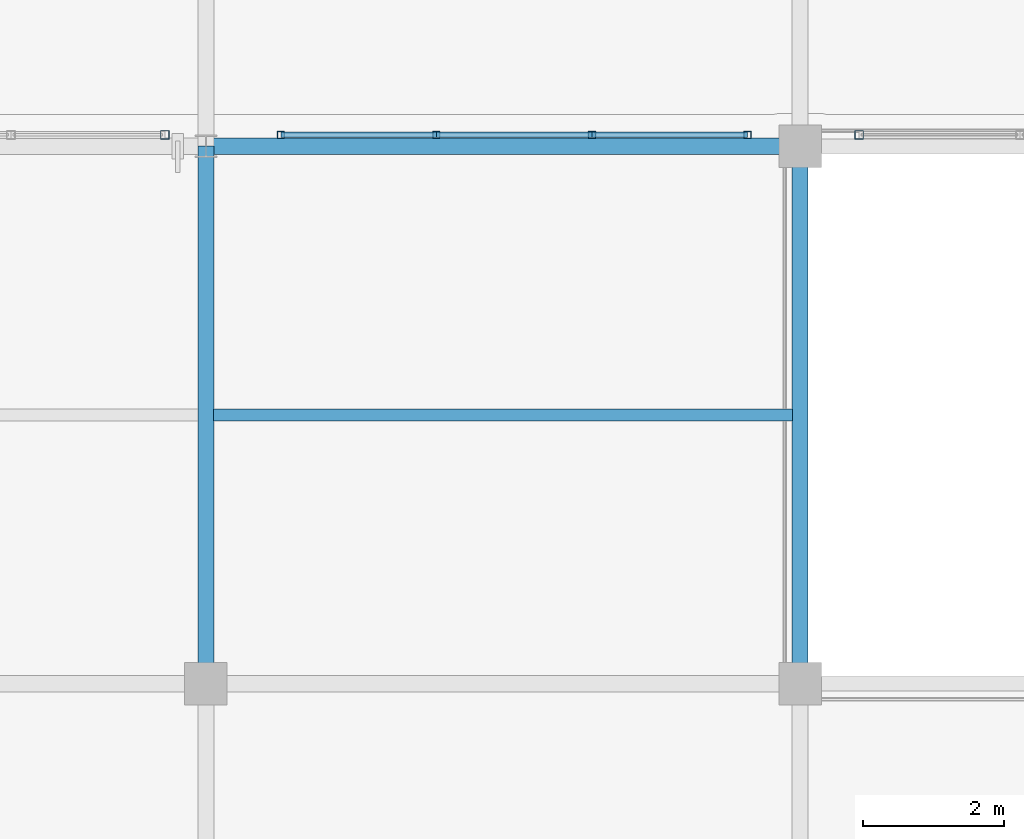
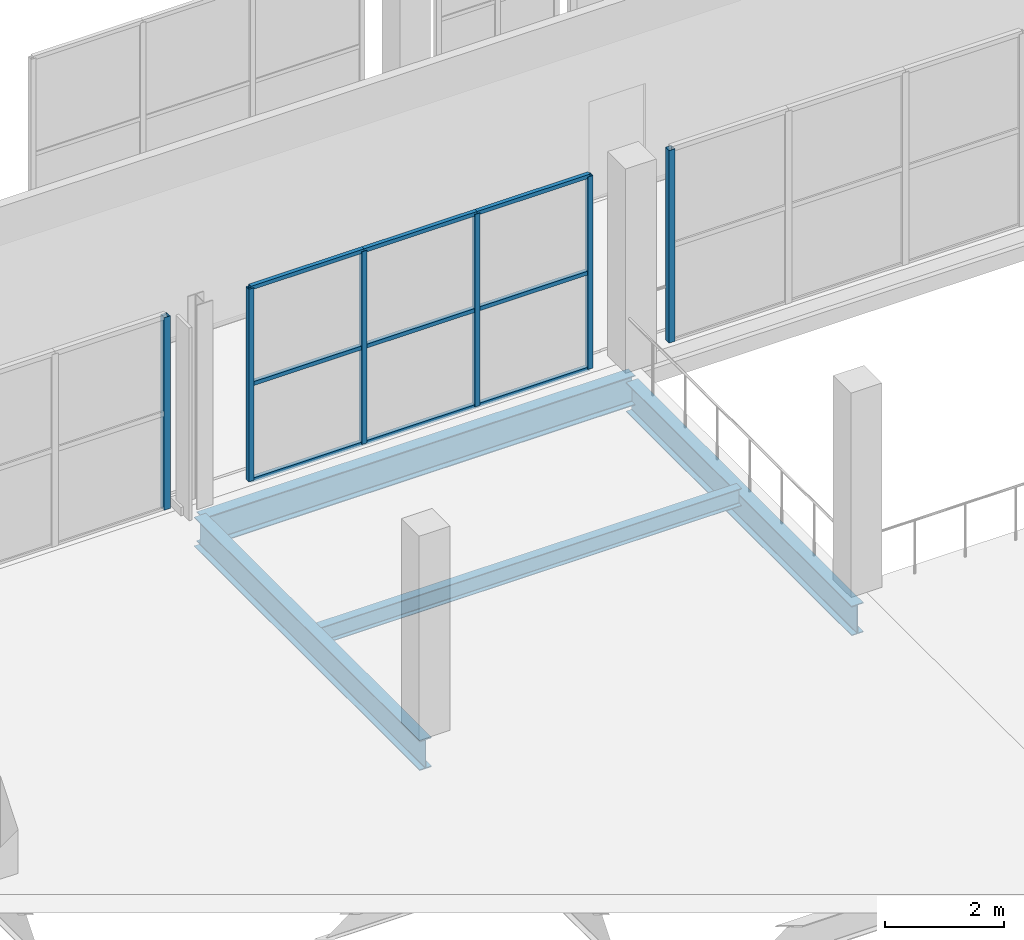
# One storey, part 31 of 151: 15 members, 4 beams, 3 elements without a shape of their own.
"""IFC4 building model written with IfcOpenShell, lengths in metres."""

from ifc_helpers import new_model, si_unit, direction, frame, origin, origin_2d, place, context, subcontext, project, spatial, hollow_rectangle, i_section, extrude, material, material_profile, profile_set, type_object, element, aggregate, save


model = new_model("IFC4")

# Units and contexts
model_context = context("Model", 3, precision=1e-05, world=origin(), true_north=direction((0.0, 1.0)))
body_context = subcontext(model_context, "Body", "Model", "MODEL_VIEW")
ifc_project = project(units=[si_unit("LENGTHUNIT", "METRE"), si_unit("AREAUNIT", "SQUARE_METRE"), si_unit("VOLUMEUNIT", "CUBIC_METRE"), si_unit("PLANEANGLEUNIT", "RADIAN"), si_unit("MASSUNIT", "GRAM", prefix="KILO")], contexts=[model_context])

# Site, building, storey
site_placement = place(None, origin())
site = spatial("IfcSite", under=ifc_project, at=site_placement, CompositionType="ELEMENT")
building_placement = place(site_placement, origin())
building = spatial("IfcBuilding", under=site, at=building_placement, Name="Zuvorla Pavilion Media Centre", CompositionType="ELEMENT")
storey_placement = place(building_placement, frame((0.0, 0.0, 13.800048828125)))
storey = spatial("IfcBuildingStorey", under=building, at=storey_placement, Name="L03", CompositionType="ELEMENT", Elevation=13.800048828125)

# Beams
ifc_material_1 = material(Name="Steel S355", Category="steel")
ifc_material_profile_1 = material_profile(ifc_material_1, i_section(OverallWidth=0.172119140625, OverallDepth=0.35791015625, WebThickness=0.008056640625, FlangeThickness=0.012939453125, FilletRadius=0.01025390625, at=origin_2d()), Name="UB 356x171x57")
ifc_profile_set_1 = profile_set([ifc_material_profile_1], Name="Steel S355")
beam_type_1 = type_object("IfcBeamType", Name="BM-UB356", PredefinedType="JOIST", material=ifc_profile_set_1)
beam_1_placement = place(storey_placement, frame((58.509521484375, 40.199951171875, -0.43701171875), z_axis=(1.0, 0.0, 0.0), x_axis=(0.0, 1.0, 0.0)))
element("IfcBeam", 1, at=beam_1_placement, inside=storey, type_object=beam_type_1, Name="L03 joist J03 1257", PredefinedType="JOIST", context=body_context, shape_type="SweptSolid", body=[
    extrude(i_section(OverallWidth=0.172119140625, OverallDepth=0.35791015625, WebThickness=0.008056640625, FlangeThickness=0.012939453125, FilletRadius=0.01025390625, at=origin_2d()), origin(), (0.0, 0.0, 1.0), 8.180908203125),
])
ifc_material_profile_2 = material_profile(ifc_material_1, i_section(OverallWidth=0.22900390625, OverallDepth=0.6123046875, WebThickness=0.011962890625, FlangeThickness=0.01953125, FilletRadius=0.0126953125, at=origin_2d()), Name="UB 610x229x125")
ifc_profile_set_2 = profile_set([ifc_material_profile_2], Name="Steel S355")
beam_type_2 = type_object("IfcBeamType", Name="BM-UB610", PredefinedType="BEAM", material=ifc_profile_set_2)
beam_2_placement = place(storey_placement, frame((58.39990234375, 44.0, -0.564208984375), z_axis=(1.0, 0.0, 0.0), x_axis=(0.0, 1.0, 0.0)))
element("IfcBeam", 2, at=beam_2_placement, inside=storey, type_object=beam_type_2, Name="L03 beam B07 1079", PredefinedType="BEAM", context=body_context, shape_type="SweptSolid", body=[
    extrude(i_section(OverallWidth=0.22900390625, OverallDepth=0.6123046875, WebThickness=0.011962890625, FlangeThickness=0.01953125, FilletRadius=0.0126953125, at=origin_2d()), origin(), (0.0, 0.0, 1.0), 8.400146484375),
])
for number, where, z_axis, x_axis, name in (
    (3, (58.39990234375, 36.39990234375, -0.564208984375), (0.0, 1.0, 0.0), (-1.0, 0.0, 0.0), "L03 beam B07 1177"),
    (4, (66.800048828125, 36.39990234375, -0.734130859375), (0.0, 1.0, 0.0), (-1.0, 0.0, 0.0), "L03 beam B07 1184"),
):
    element("IfcBeam", number, at=place(storey_placement, frame(where, z_axis=z_axis, x_axis=x_axis)), inside=storey, type_object=beam_type_2, Name=name, PredefinedType="BEAM", context=body_context, shape_type="SweptSolid", body=[
        extrude(i_section(OverallWidth=0.22900390625, OverallDepth=0.6123046875, WebThickness=0.011962890625, FlangeThickness=0.01953125, FilletRadius=0.0126953125, at=origin_2d()), origin(), (0.0, 0.0, 1.0), 7.60009765625),
    ])

# Curtain wall, members
ifc_material_2 = material(Name="Unitised anodised aluminium and solar glass curtain wall", Category="aluminium")
curtain_wall_type_1 = type_object("IfcCurtainWallType", Name="CW-SYS-68", PredefinedType="USERDEFINED", material=ifc_material_2)
curtain_wall_1_placement = place(storey_placement, origin())
curtain_wall_1 = element("IfcCurtainWall", 5, at=curtain_wall_1_placement, inside=storey, type_object=curtain_wall_type_1, Name="L03 curtain wall CW68 136", ObjectType="CURTAIN WALL", PredefinedType="USERDEFINED")
ifc_material_3 = material(Name="Anodised aluminium 6063-T6", Category="aluminium")
ifc_material_profile_3 = material_profile(ifc_material_3, hollow_rectangle(XDim=0.10009765625, YDim=0.10009765625, WallThickness=0.00439453125, at=origin_2d()), Name="ALU MULL 100x100")
ifc_profile_set_3 = profile_set([ifc_material_profile_3], Name="Anodised aluminium 6063-T6")
member_type_1 = type_object("IfcMemberType", Name="CW-MULL-100", PredefinedType="MULLION", material=ifc_profile_set_3)
member_1_placement = place(storey_placement, frame((59.4599609375, 44.159912109375, 0.0), z_axis=(0.0, 0.0, 1.0), x_axis=(1.0, 0.0, 0.0)))
member_1 = element("IfcMember", 6, at=member_1_placement, type_object=member_type_1, Name="CW68 mullion 1", PredefinedType="MULLION", context=body_context, shape_type="SweptSolid", body=[
    extrude(hollow_rectangle(XDim=0.10009765625, YDim=0.10009765625, WallThickness=0.00439453125, at=origin_2d()), origin(), (0.0, 0.0, 1.0), 3.9599609375),
])
member_2_placement = place(storey_placement, frame((61.658447265625, 44.159912109375, 0.0), z_axis=(0.0, 0.0, 1.0), x_axis=(1.0, 0.0, 0.0)))
member_2 = element("IfcMember", 7, at=member_2_placement, type_object=member_type_1, Name="CW68 mullion 2", PredefinedType="MULLION", context=body_context, shape_type="SweptSolid", body=[
    extrude(hollow_rectangle(XDim=0.10009765625, YDim=0.10009765625, WallThickness=0.00439453125, at=origin_2d()), origin(), (0.0, 0.0, 1.0), 3.9599609375),
])
member_3_placement = place(storey_placement, frame((63.857177734375, 44.159912109375, 0.0), z_axis=(0.0, 0.0, 1.0), x_axis=(1.0, 0.0, 0.0)))
member_3 = element("IfcMember", 8, at=member_3_placement, type_object=member_type_1, Name="CW68 mullion 3", PredefinedType="MULLION", context=body_context, shape_type="SweptSolid", body=[
    extrude(hollow_rectangle(XDim=0.10009765625, YDim=0.10009765625, WallThickness=0.00439453125, at=origin_2d()), origin(), (0.0, 0.0, 1.0), 3.9599609375),
])
member_4_placement = place(storey_placement, frame((66.0556640625, 44.159912109375, 0.0), z_axis=(0.0, 0.0, 1.0), x_axis=(1.0, 0.0, 0.0)))
member_4 = element("IfcMember", 9, at=member_4_placement, type_object=member_type_1, Name="CW68 mullion 4", PredefinedType="MULLION", context=body_context, shape_type="SweptSolid", body=[
    extrude(hollow_rectangle(XDim=0.10009765625, YDim=0.10009765625, WallThickness=0.00439453125, at=origin_2d()), origin(), (0.0, 0.0, 1.0), 3.9599609375),
])

# Curtain wall, member
curtain_wall_type_2 = type_object("IfcCurtainWallType", Name="CW-SYS-63", PredefinedType="USERDEFINED", material=ifc_material_2)
curtain_wall_2_placement = place(storey_placement, origin())
curtain_wall_2 = element("IfcCurtainWall", 10, at=curtain_wall_2_placement, inside=storey, type_object=curtain_wall_type_2, Name="L03 curtain wall CW63 135", ObjectType="CURTAIN WALL", PredefinedType="USERDEFINED")
ifc_material_profile_4 = material_profile(ifc_material_3, hollow_rectangle(XDim=0.1201171875, YDim=0.1201171875, WallThickness=0.0048828125, at=origin_2d()), Name="ALU MULL 120x120")
ifc_profile_set_4 = profile_set([ifc_material_profile_4], Name="Anodised aluminium 6063-T6")
member_type_2 = type_object("IfcMemberType", Name="CW-MULL-120", PredefinedType="MULLION", material=ifc_profile_set_4)
member_5_placement = place(storey_placement, frame((57.818115234375, 44.159912109375, 0.0), z_axis=(0.0, 0.0, 1.0), x_axis=(1.0, 0.0, 0.0)))
member_5 = element("IfcMember", 11, at=member_5_placement, type_object=member_type_2, Name="CW63 mullion 4", PredefinedType="MULLION", context=body_context, shape_type="SweptSolid", body=[
    extrude(hollow_rectangle(XDim=0.1201171875, YDim=0.1201171875, WallThickness=0.0048828125, at=origin_2d()), origin(), (0.0, 0.0, 1.0), 3.9599609375),
])
aggregate(curtain_wall_2, [member_5])

curtain_wall_type_3 = type_object("IfcCurtainWallType", Name="CW-SYS-69", PredefinedType="USERDEFINED", material=ifc_material_2)
curtain_wall_3_placement = place(storey_placement, origin())
curtain_wall_3 = element("IfcCurtainWall", 12, at=curtain_wall_3_placement, inside=storey, type_object=curtain_wall_type_3, Name="L03 curtain wall CW69 137", ObjectType="CURTAIN WALL", PredefinedType="USERDEFINED")
member_6_placement = place(storey_placement, frame((67.635009765625, 44.159912109375, 0.0), z_axis=(0.0, 0.0, 1.0), x_axis=(1.0, 0.0, 0.0)))
member_6 = element("IfcMember", 13, at=member_6_placement, type_object=member_type_2, Name="CW69 mullion 1", PredefinedType="MULLION", context=body_context, shape_type="SweptSolid", body=[
    extrude(hollow_rectangle(XDim=0.1201171875, YDim=0.1201171875, WallThickness=0.0048828125, at=origin_2d()), origin(), (0.0, 0.0, 1.0), 3.9599609375),
])
aggregate(curtain_wall_3, [member_6])

# Member
ifc_material_profile_5 = material_profile(ifc_material_3, hollow_rectangle(XDim=0.080078125, YDim=0.080078125, WallThickness=0.00390625, at=origin_2d()), Name="ALU TRAN 80x80")
ifc_profile_set_5 = profile_set([ifc_material_profile_5], Name="Anodised aluminium 6063-T6")
member_type_3 = type_object("IfcMemberType", Name="CW-TRAN-80", PredefinedType="USERDEFINED", material=ifc_profile_set_5)
member_7_placement = place(storey_placement, frame((59.4599609375, 44.159912109375, 0.0), z_axis=(1.0, 0.0, 0.0), x_axis=(0.0, 1.0, 0.0)))
member_7 = element("IfcMember", 14, at=member_7_placement, type_object=member_type_3, Name="CW68 transom 1.1", ObjectType="TRANSOM", PredefinedType="USERDEFINED", context=body_context, shape_type="SweptSolid", body=[
    extrude(hollow_rectangle(XDim=0.080078125, YDim=0.080078125, WallThickness=0.00390625, at=origin_2d()), origin(), (0.0, 0.0, 1.0), 2.198486328125),
])

member_8_placement = place(storey_placement, frame((59.4599609375, 44.159912109375, 1.97998046875), z_axis=(1.0, 0.0, 0.0), x_axis=(0.0, 1.0, 0.0)))
member_8 = element("IfcMember", 15, at=member_8_placement, type_object=member_type_3, Name="CW68 transom 1.2", ObjectType="TRANSOM", PredefinedType="USERDEFINED", context=body_context, shape_type="SweptSolid", body=[
    extrude(hollow_rectangle(XDim=0.080078125, YDim=0.080078125, WallThickness=0.00390625, at=origin_2d()), origin(), (0.0, 0.0, 1.0), 2.198486328125),
])

member_9_placement = place(storey_placement, frame((59.4599609375, 44.159912109375, 3.9599609375), z_axis=(1.0, 0.0, 0.0), x_axis=(0.0, 1.0, 0.0)))
member_9 = element("IfcMember", 16, at=member_9_placement, type_object=member_type_3, Name="CW68 transom 1.3", ObjectType="TRANSOM", PredefinedType="USERDEFINED", context=body_context, shape_type="SweptSolid", body=[
    extrude(hollow_rectangle(XDim=0.080078125, YDim=0.080078125, WallThickness=0.00390625, at=origin_2d()), origin(), (0.0, 0.0, 1.0), 2.198486328125),
])

member_10_placement = place(storey_placement, frame((61.658447265625, 44.159912109375, 0.0), z_axis=(1.0, 0.0, 0.0), x_axis=(0.0, 1.0, 0.0)))
member_10 = element("IfcMember", 17, at=member_10_placement, type_object=member_type_3, Name="CW68 transom 2.1", ObjectType="TRANSOM", PredefinedType="USERDEFINED", context=body_context, shape_type="SweptSolid", body=[
    extrude(hollow_rectangle(XDim=0.080078125, YDim=0.080078125, WallThickness=0.00390625, at=origin_2d()), origin(), (0.0, 0.0, 1.0), 2.19873046875),
])

member_11_placement = place(storey_placement, frame((61.658447265625, 44.159912109375, 1.97998046875), z_axis=(1.0, 0.0, 0.0), x_axis=(0.0, 1.0, 0.0)))
member_11 = element("IfcMember", 18, at=member_11_placement, type_object=member_type_3, Name="CW68 transom 2.2", ObjectType="TRANSOM", PredefinedType="USERDEFINED", context=body_context, shape_type="SweptSolid", body=[
    extrude(hollow_rectangle(XDim=0.080078125, YDim=0.080078125, WallThickness=0.00390625, at=origin_2d()), origin(), (0.0, 0.0, 1.0), 2.19873046875),
])

member_12_placement = place(storey_placement, frame((61.658447265625, 44.159912109375, 3.9599609375), z_axis=(1.0, 0.0, 0.0), x_axis=(0.0, 1.0, 0.0)))
member_12 = element("IfcMember", 19, at=member_12_placement, type_object=member_type_3, Name="CW68 transom 2.3", ObjectType="TRANSOM", PredefinedType="USERDEFINED", context=body_context, shape_type="SweptSolid", body=[
    extrude(hollow_rectangle(XDim=0.080078125, YDim=0.080078125, WallThickness=0.00390625, at=origin_2d()), origin(), (0.0, 0.0, 1.0), 2.19873046875),
])

member_13_placement = place(storey_placement, frame((63.857177734375, 44.159912109375, 0.0), z_axis=(1.0, 0.0, 0.0), x_axis=(0.0, 1.0, 0.0)))
member_13 = element("IfcMember", 20, at=member_13_placement, type_object=member_type_3, Name="CW68 transom 3.1", ObjectType="TRANSOM", PredefinedType="USERDEFINED", context=body_context, shape_type="SweptSolid", body=[
    extrude(hollow_rectangle(XDim=0.080078125, YDim=0.080078125, WallThickness=0.00390625, at=origin_2d()), origin(), (0.0, 0.0, 1.0), 2.198486328125),
])

member_14_placement = place(storey_placement, frame((63.857177734375, 44.159912109375, 1.97998046875), z_axis=(1.0, 0.0, 0.0), x_axis=(0.0, 1.0, 0.0)))
member_14 = element("IfcMember", 21, at=member_14_placement, type_object=member_type_3, Name="CW68 transom 3.2", ObjectType="TRANSOM", PredefinedType="USERDEFINED", context=body_context, shape_type="SweptSolid", body=[
    extrude(hollow_rectangle(XDim=0.080078125, YDim=0.080078125, WallThickness=0.00390625, at=origin_2d()), origin(), (0.0, 0.0, 1.0), 2.198486328125),
])

member_15_placement = place(storey_placement, frame((63.857177734375, 44.159912109375, 3.9599609375), z_axis=(1.0, 0.0, 0.0), x_axis=(0.0, 1.0, 0.0)))
member_15 = element("IfcMember", 22, at=member_15_placement, type_object=member_type_3, Name="CW68 transom 3.3", ObjectType="TRANSOM", PredefinedType="USERDEFINED", context=body_context, shape_type="SweptSolid", body=[
    extrude(hollow_rectangle(XDim=0.080078125, YDim=0.080078125, WallThickness=0.00390625, at=origin_2d()), origin(), (0.0, 0.0, 1.0), 2.198486328125),
])

aggregate(curtain_wall_1, [member_1, member_2, member_3, member_4, member_7, member_8, member_9, member_10, member_11, member_12, member_13, member_14, member_15])

save(model, "model.ifc")
